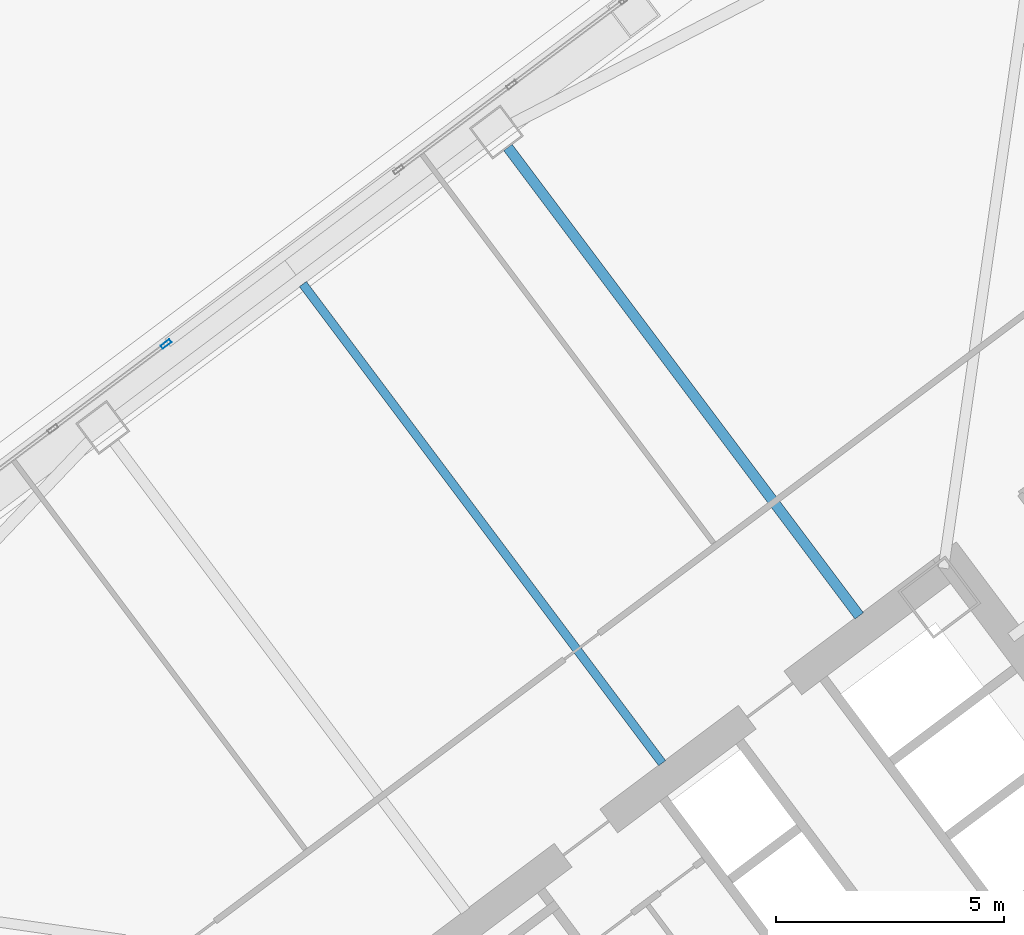
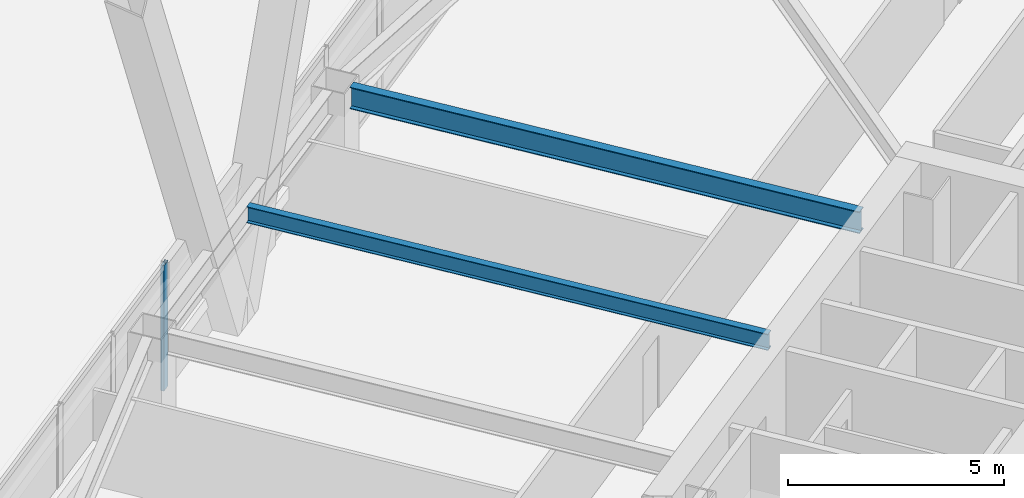
# One storey, part 51 of 83: 2 beams, 1 member, 1 element without a shape of its own.
"""IFC4 building model written with IfcOpenShell, lengths in metres."""

from ifc_helpers import new_model, si_unit, direction, frame, origin, origin_2d, place, context, subcontext, project, spatial, hollow_rectangle, i_section, extrude, material, material_profile, profile_set, type_object, element, aggregate, save


model = new_model("IFC4")

# Units and contexts
model_context = context("Model", 3, precision=1e-05, world=origin(), true_north=direction((0.0, 1.0)))
body_context = subcontext(model_context, "Body", "Model", "MODEL_VIEW")
ifc_project = project(units=[si_unit("LENGTHUNIT", "METRE"), si_unit("AREAUNIT", "SQUARE_METRE"), si_unit("VOLUMEUNIT", "CUBIC_METRE"), si_unit("PLANEANGLEUNIT", "RADIAN"), si_unit("MASSUNIT", "GRAM", prefix="KILO")], contexts=[model_context])

# Site, building, storey
site_placement = place(None, origin())
site = spatial("IfcSite", under=ifc_project, at=site_placement, CompositionType="ELEMENT")
building_placement = place(site_placement, origin())
building = spatial("IfcBuilding", under=site, at=building_placement, Name="Tashvorn Skyway Center", CompositionType="ELEMENT")
storey_placement = place(building_placement, frame((0.0, 0.0, 24.60009765625)))
storey = spatial("IfcBuildingStorey", under=building, at=storey_placement, Name="L05", CompositionType="ELEMENT", Elevation=24.60009765625)

# Beams
ifc_material_1 = material(Name="Steel ASTM A992 Grade 50", Category="steel")
ifc_material_profile_1 = material_profile(ifc_material_1, i_section(OverallWidth=0.22998046875, OverallDepth=0.616943359375, WebThickness=0.01318359375, FlangeThickness=0.022216796875, at=origin_2d()), Name="W24X94")
ifc_profile_set_1 = profile_set([ifc_material_profile_1], Name="Steel ASTM A992 Grade 50")
beam_type_1 = type_object("IfcBeamType", Name="BM-BEAM-W24X94", PredefinedType="BEAM", material=ifc_profile_set_1)
beam_1_placement = place(storey_placement, frame((105.94189453125, 51.743896484375, 3.04150390625), z_axis=(0.600018239213, -0.799986320265, 0.0), x_axis=(0.799986320265, 0.600018239213, 0.0)))
element("IfcBeam", 1, at=beam_1_placement, inside=storey, type_object=beam_type_1, Name="Tower 2 L05 Primary Floor Girder FC-N1", PredefinedType="BEAM", context=body_context, shape_type="SweptSolid", body=[
    extrude(i_section(OverallWidth=0.22998046875, OverallDepth=0.616943359375, WebThickness=0.01318359375, FlangeThickness=0.022216796875, at=origin_2d()), origin(), (0.0, 0.0, 1.0), 12.849853515625),
])
ifc_material_profile_2 = material_profile(ifc_material_1, i_section(OverallWidth=0.19091796875, OverallDepth=0.4599609375, WebThickness=0.010009765625, FlangeThickness=0.01611328125, at=origin_2d()), Name="W18X55")
ifc_profile_set_2 = profile_set([ifc_material_profile_2], Name="Steel ASTM A992 Grade 50")
beam_type_2 = type_object("IfcBeamType", Name="BM-JOIST-W18X55", PredefinedType="JOIST", material=ifc_profile_set_2)
beam_2_placement = place(storey_placement, frame((109.325927734375, 38.23193359375, 3.119873046875), z_axis=(-0.600002972791, 0.799997770398, 0.0), x_axis=(-0.799997770398, -0.600002972791, 0.0)))
element("IfcBeam", 2, at=beam_2_placement, inside=storey, type_object=beam_type_2, Name="Tower 2 L05 Secondary Composite Joist JN", PredefinedType="JOIST", context=body_context, shape_type="SweptSolid", body=[
    extrude(i_section(OverallWidth=0.19091796875, OverallDepth=0.4599609375, WebThickness=0.010009765625, FlangeThickness=0.01611328125, at=origin_2d()), origin(), (0.0, 0.0, 1.0), 13.139892578125),
])

# Curtain wall, member
ifc_material_2 = material(Name="Thermally broken bronze-anodized aluminium 6063-T6", Category="aluminium")
curtain_wall_type = type_object("IfcCurtainWallType", Name="CW-CW-Z1", PredefinedType="NOTDEFINED", material=ifc_material_2)
curtain_wall_placement = place(storey_placement, origin())
curtain_wall = element("IfcCurtainWall", 3, at=curtain_wall_placement, inside=storey, type_object=curtain_wall_type, Name="Tower 2 L05 North Unitised Curtain Wall Glazing Group 2", PredefinedType="NOTDEFINED")
ifc_material_profile_3 = material_profile(ifc_material_2, hollow_rectangle(XDim=0.0849609375, YDim=0.239990234375, WallThickness=0.0048828125, at=origin_2d()), Name="ALU-MULL-85x240")
ifc_profile_set_3 = profile_set([ifc_material_profile_3], Name="Thermally broken bronze-anodized aluminium 6063-T6")
member_type = type_object("IfcMemberType", Name="CWM-CW-Z1", PredefinedType="MULLION", material=ifc_profile_set_3)
member_placement = place(storey_placement, frame((98.440673828125, 47.430419921875, 0.0), z_axis=(0.0, 0.0, 1.0), x_axis=(-0.599997457641, 0.800001906763, 0.0)))
member = element("IfcMember", 4, at=member_placement, type_object=member_type, Name="CW-Z1 mullion 3", PredefinedType="MULLION", context=body_context, shape_type="SweptSolid", body=[
    extrude(hollow_rectangle(XDim=0.0849609375, YDim=0.239990234375, WallThickness=0.0048828125, at=origin_2d()), origin(), (0.0, 0.0, 1.0), 3.5498046875),
])
aggregate(curtain_wall, [member])

save(model, "model.ifc")
